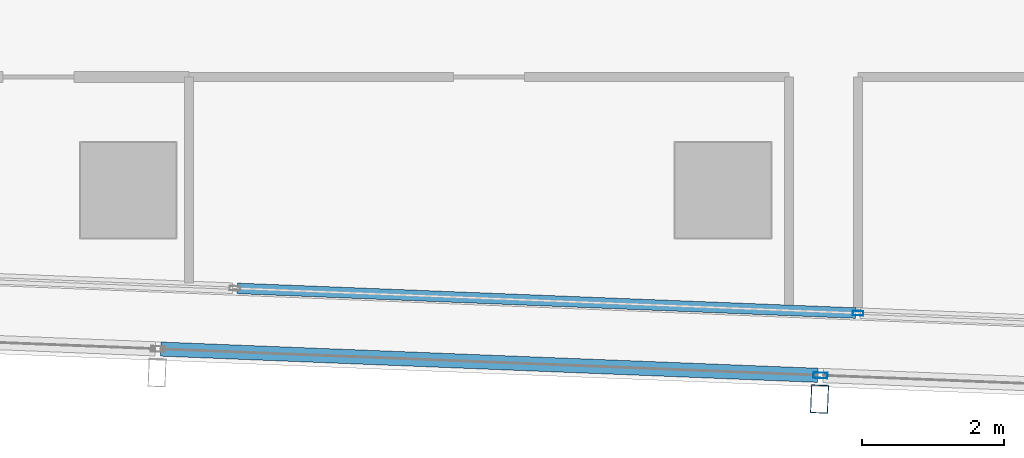
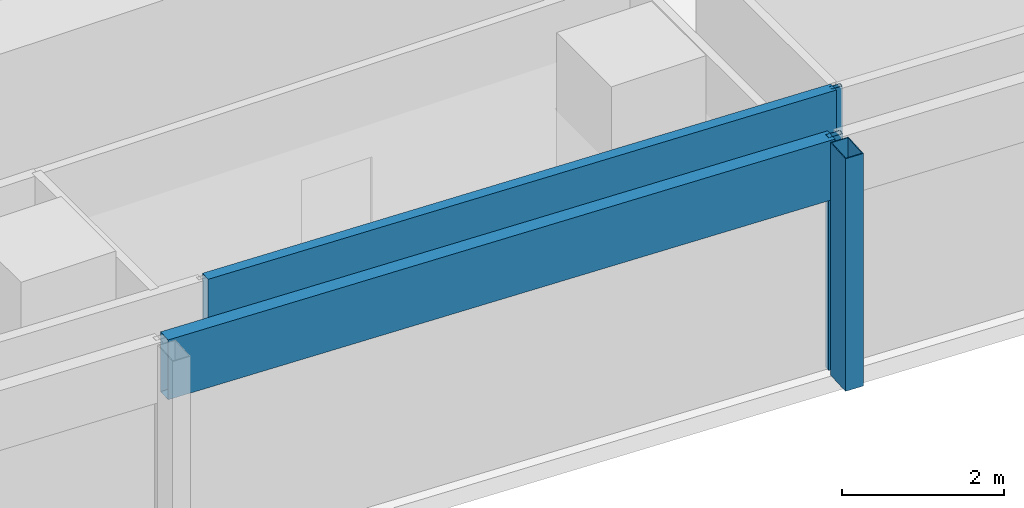
# One storey, part 7 of 38: 5 members, 2 elements without a shape of their own.
"""IFC4 building model written with IfcOpenShell, lengths in metres."""

from ifc_helpers import new_model, si_unit, direction, frame, origin, origin_2d, place, context, subcontext, project, spatial, hollow_rectangle, extrude, material, material_profile, profile_set, type_object, element, aggregate, save


model = new_model("IFC4")

# Units and contexts
model_context = context("Model", 3, precision=1e-05, world=origin(), true_north=direction((0.0, 1.0)))
body_context = subcontext(model_context, "Body", "Model", "MODEL_VIEW")
ifc_project = project(units=[si_unit("LENGTHUNIT", "METRE"), si_unit("AREAUNIT", "SQUARE_METRE"), si_unit("VOLUMEUNIT", "CUBIC_METRE"), si_unit("PLANEANGLEUNIT", "RADIAN"), si_unit("MASSUNIT", "GRAM", prefix="KILO")], contexts=[model_context])

# Site, building, storey
site_placement = place(None, origin())
site = spatial("IfcSite", under=ifc_project, at=site_placement, CompositionType="ELEMENT")
building_placement = place(site_placement, origin())
building = spatial("IfcBuilding", under=site, at=building_placement, Name="Rekha Terrace Tower", CompositionType="ELEMENT")
storey_placement = place(building_placement, frame((0.0, 0.0, 202.699951171875)))
storey = spatial("IfcBuildingStorey", under=building, at=storey_placement, Name="L51", CompositionType="ELEMENT", Elevation=202.699951171875)

# Curtain wall, member
ifc_material_1 = material(Name="Aluminium framing", Category="aluminium")
curtain_wall_type_1 = type_object("IfcCurtainWallType", Name="CW2 double skin outer glazing", PredefinedType="USERDEFINED", material=ifc_material_1)
curtain_wall_1_placement = place(storey_placement, origin())
curtain_wall_1 = element("IfcCurtainWall", 1, at=curtain_wall_1_placement, inside=storey, type_object=curtain_wall_type_1, Name="CW2 double skin outer glazing", ObjectType="DOUBLE SKIN OUTER GLAZING", PredefinedType="USERDEFINED")
ifc_material_2 = material(Name="Steel S355 with fluorocarbon finish", Category="steel")
ifc_material_profile_1 = material_profile(ifc_material_2, hollow_rectangle(XDim=0.25, YDim=0.39990234375, WallThickness=0.012451171875, at=origin_2d()), Name="RHS400x250x12.5")
ifc_profile_set_1 = profile_set([ifc_material_profile_1], Name="Steel S355 with fluorocarbon finish")
member_type_1 = type_object("IfcMemberType", Name="BL1 facade blade RHS 400 x 250", PredefinedType="USERDEFINED", material=ifc_profile_set_1)
member_1_placement = place(storey_placement, frame((34.9638671875, 13.84912109375, 0.0), z_axis=(0.0, 0.0, 1.0), x_axis=(0.999204797763, -0.039871946621, 0.0)))
member_1 = element("IfcMember", 2, at=member_1_placement, type_object=member_type_1, Name="Facade blade", ObjectType="FACADE BLADE", PredefinedType="USERDEFINED", context=body_context, shape_type="SweptSolid", body=[
    extrude(hollow_rectangle(XDim=0.25, YDim=0.39990234375, WallThickness=0.012451171875, at=origin_2d()), origin(), (0.0, 0.0, 1.0), 3.5),
])

# Curtain wall, members
curtain_wall_type_2 = type_object("IfcCurtainWallType", Name="CW1 double skin inner glazing", PredefinedType="USERDEFINED", material=ifc_material_1)
curtain_wall_2_placement = place(storey_placement, origin())
curtain_wall_2 = element("IfcCurtainWall", 3, at=curtain_wall_2_placement, inside=storey, type_object=curtain_wall_type_2, Name="CW1 double skin inner glazing", ObjectType="DOUBLE SKIN INNER GLAZING", PredefinedType="USERDEFINED")
ifc_material_3 = material(Name="Aluminium mullion section", Category="aluminium")
ifc_material_profile_2 = material_profile(ifc_material_3, hollow_rectangle(XDim=0.06494140625, YDim=0.14990234375, WallThickness=0.00390625, at=origin_2d()), Name="AL RHS 65x150")
ifc_profile_set_2 = profile_set([ifc_material_profile_2], Name="Aluminium mullion section")
member_type_2 = type_object("IfcMemberType", Name="CW1 mullion RHS 65 x 150", PredefinedType="MULLION", material=ifc_profile_set_2)
member_2_placement = place(storey_placement, frame((35.507568359375, 15.063232421875, 0.0), z_axis=(0.0, 0.0, 1.0), x_axis=(0.039872497061, 0.999204775798, 0.0)))
member_2 = element("IfcMember", 4, at=member_2_placement, type_object=member_type_2, Name="CW1 mullion 4", PredefinedType="MULLION", context=body_context, shape_type="SweptSolid", body=[
    extrude(hollow_rectangle(XDim=0.06494140625, YDim=0.14990234375, WallThickness=0.00390625, at=origin_2d()), origin(), (0.0, 0.0, 1.0), 3.5),
])
ifc_material_4 = material(Name="Insulated aluminium spandrel box", Category="aluminium")
ifc_material_profile_3 = material_profile(ifc_material_4, hollow_rectangle(XDim=0.14990234375, YDim=0.89990234375, WallThickness=0.0029296875, at=origin_2d()), Name="AL SPANDREL BOX 150x900")
ifc_profile_set_3 = profile_set([ifc_material_profile_3], Name="Insulated aluminium spandrel box")
member_type_3 = type_object("IfcMemberType", Name="CW1 spandrel transom 150 x 900", PredefinedType="USERDEFINED", material=ifc_profile_set_3)
member_3_placement = place(storey_placement, frame((26.73583984375, 15.413330078125, 3.050048828125), z_axis=(0.999205233714, -0.039861020051, 0.0), x_axis=(0.039861020051, 0.999205233714, 0.0)))
member_3 = element("IfcMember", 5, at=member_3_placement, type_object=member_type_3, Name="CW1 spandrel transom 3", ObjectType="TRANSOM", PredefinedType="USERDEFINED", context=body_context, shape_type="SweptSolid", body=[
    extrude(hollow_rectangle(XDim=0.14990234375, YDim=0.89990234375, WallThickness=0.0029296875, at=origin_2d()), origin(), (0.0, 0.0, 1.0), 8.74609375),
])
aggregate(curtain_wall_2, [member_2, member_3])

# Member
ifc_material_profile_4 = material_profile(ifc_material_3, hollow_rectangle(XDim=0.080078125, YDim=0.199951171875, WallThickness=0.00390625, at=origin_2d()), Name="AL RHS 80x200")
ifc_profile_set_4 = profile_set([ifc_material_profile_4], Name="Aluminium mullion section")
member_type_4 = type_object("IfcMemberType", Name="CW2 mullion RHS 80 x 200", PredefinedType="MULLION", material=ifc_profile_set_4)
member_4_placement = place(storey_placement, frame((34.97705078125, 14.183837890625, 0.0), z_axis=(0.0, 0.0, 1.0), x_axis=(0.039872497044, 0.999204775799, 0.0)))
member_4 = element("IfcMember", 6, at=member_4_placement, type_object=member_type_4, Name="CW2 mullion 4", PredefinedType="MULLION", context=body_context, shape_type="SweptSolid", body=[
    extrude(hollow_rectangle(XDim=0.080078125, YDim=0.199951171875, WallThickness=0.00390625, at=origin_2d()), origin(), (0.0, 0.0, 1.0), 3.5),
])

ifc_material_profile_5 = material_profile(ifc_material_4, hollow_rectangle(XDim=0.199951171875, YDim=0.89990234375, WallThickness=0.0029296875, at=origin_2d()), Name="AL SPANDREL BOX 200x900")
ifc_profile_set_5 = profile_set([ifc_material_profile_5], Name="Insulated aluminium spandrel box")
member_type_5 = type_object("IfcMemberType", Name="CW2 spandrel transom 200 x 900", PredefinedType="USERDEFINED", material=ifc_profile_set_5)
member_5_placement = place(storey_placement, frame((25.658447265625, 14.5556640625, 3.050048828125), z_axis=(0.999204356934, -0.039882992408, 0.0), x_axis=(0.039882992408, 0.999204356934, 0.0)))
member_5 = element("IfcMember", 7, at=member_5_placement, type_object=member_type_5, Name="CW2 spandrel transom 3", ObjectType="TRANSOM", PredefinedType="USERDEFINED", context=body_context, shape_type="SweptSolid", body=[
    extrude(hollow_rectangle(XDim=0.199951171875, YDim=0.89990234375, WallThickness=0.0029296875, at=origin_2d()), origin(), (0.0, 0.0, 1.0), 9.2861328125),
])

aggregate(curtain_wall_1, [member_4, member_5, member_1])

save(model, "model.ifc")
